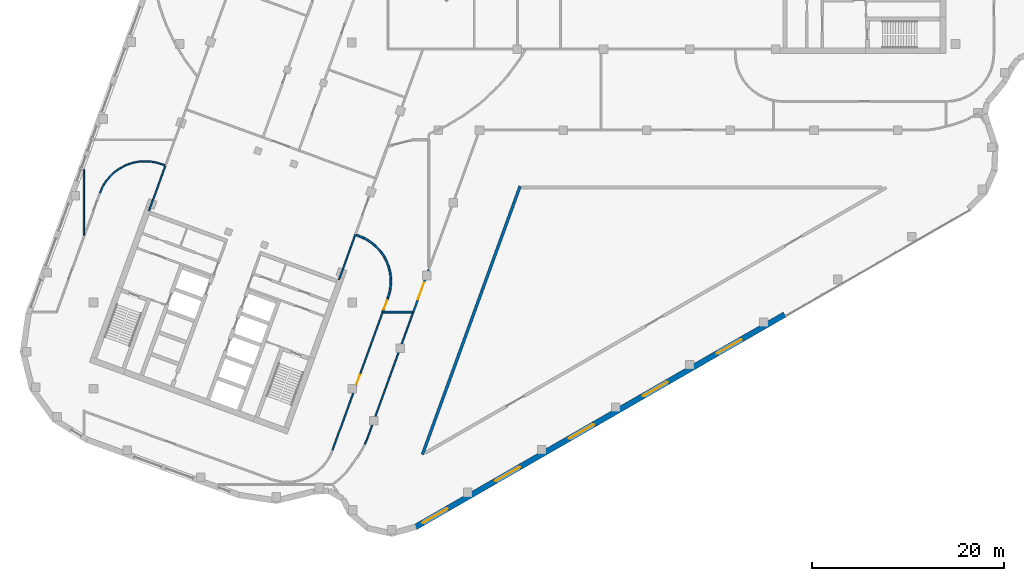
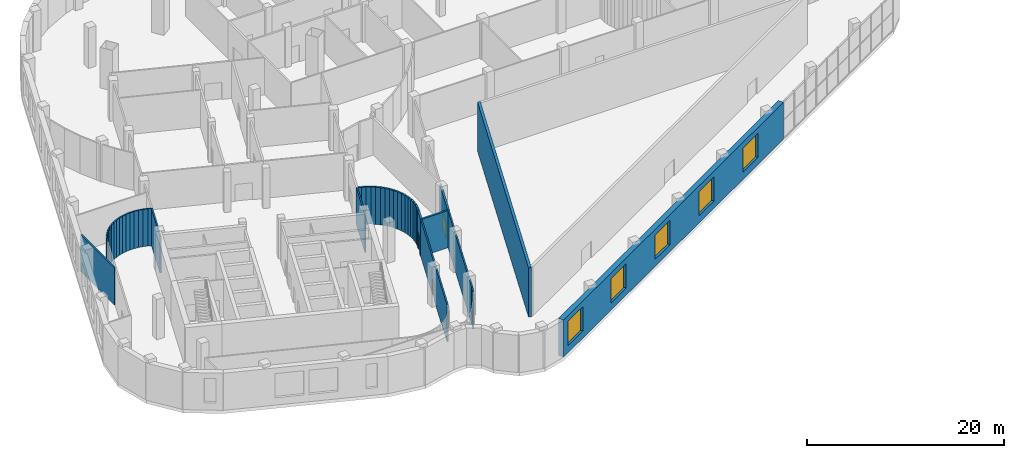
# One storey, part 10 of 24: 45 walls, 5 windows, 3 doors, 8 openings.
"""IFC4 building model written with IfcOpenShell, lengths in metres."""

from ifc_helpers import new_model, si_unit, direction, frame, frame_2d, origin, place, context, subcontext, project, spatial, rectangle, extrude, material, layer, layer_set, type_object, element, fill, save


model = new_model("IFC4")

# Units and contexts
model_context = context("Model", 3, precision=1e-05, world=origin(), true_north=direction((0.0, 1.0)))
body_context = subcontext(model_context, "Body", "Model", "MODEL_VIEW")
ifc_project = project(units=[si_unit("LENGTHUNIT", "METRE"), si_unit("AREAUNIT", "SQUARE_METRE"), si_unit("VOLUMEUNIT", "CUBIC_METRE"), si_unit("PLANEANGLEUNIT", "RADIAN"), si_unit("MASSUNIT", "GRAM", prefix="KILO")], contexts=[model_context])

# Site, building, storey
site_placement = place(None, origin())
site = spatial("IfcSite", under=ifc_project, at=site_placement, CompositionType="ELEMENT")
building_placement = place(site_placement, origin())
building = spatial("IfcBuilding", under=site, at=building_placement, Name="Skarvind Civic Tower", CompositionType="ELEMENT")
storey_placement = place(building_placement, frame((0.0, 0.0, 12.5)))
storey = spatial("IfcBuildingStorey", under=building, at=storey_placement, Name="L02", CompositionType="ELEMENT", Elevation=12.5)

# Walls
ifc_material_1 = material(Name="Fire-rated blockwork wall, plastered", Category="masonry")
ifc_layer_1 = layer(ifc_material_1, 0.199951171875)
ifc_layer_set_1 = layer_set([ifc_layer_1], Name="FIRE WALL 200 EI 60")
wall_type_1 = type_object("IfcWallType", Name="FIRE WALL 200 EI 60", PredefinedType="PARTITIONING", material=ifc_layer_set_1)
wall_1_placement = place(storey_placement, frame((46.430908203125, 98.0458984375, 0.0), z_axis=(0.0, 0.0, 1.0), x_axis=(0.939367946247, -0.342910865334, 0.0)))
element("IfcWall", 1, at=wall_1_placement, inside=storey, type_object=wall_type_1, Name="Podium partition L02 072", PredefinedType="PARTITIONING", context=body_context, shape_type="SweptSolid", body=[
    extrude(rectangle(XDim=0.3525390625, YDim=0.199951171875, at=frame_2d((0.17626953125, 0.0))), origin(), (0.0, 0.0, 1.0), 4.60009765625),
])
wall_2_placement = place(storey_placement, frame((46.758056640625, 97.927001953125, 0.0), z_axis=(0.0, 0.0, 1.0), x_axis=(0.921736861553, -0.387815881643, 0.0)))
element("IfcWall", 2, at=wall_2_placement, inside=storey, type_object=wall_type_1, Name="Podium partition L02 076", PredefinedType="PARTITIONING", context=body_context, shape_type="SweptSolid", body=[
    extrude(rectangle(XDim=0.498046875, YDim=0.199951171875, at=frame_2d((0.2490234375, 0.0))), origin(), (0.0, 0.0, 1.0), 4.60009765625),
])
wall_3_placement = place(storey_placement, frame((47.2080078125, 97.738037109375, 0.0), z_axis=(0.0, 0.0, 1.0), x_axis=(0.879513307417, -0.475874292304, 0.0)))
element("IfcWall", 3, at=wall_3_placement, inside=storey, type_object=wall_type_1, Name="Podium partition L02 078", PredefinedType="PARTITIONING", context=body_context, shape_type="SweptSolid", body=[
    extrude(rectangle(XDim=0.500244140625, YDim=0.199951171875, at=frame_2d((0.25, 0.0))), origin(), (0.0, 0.0, 1.0), 4.60009765625),
])
wall_4_placement = place(storey_placement, frame((47.639892578125, 97.5048828125, 0.0), z_axis=(0.0, 0.0, 1.0), x_axis=(0.828576718052, -0.559875541797, 0.0)))
element("IfcWall", 4, at=wall_4_placement, inside=storey, type_object=wall_type_1, Name="Podium partition L02 081", PredefinedType="PARTITIONING", context=body_context, shape_type="SweptSolid", body=[
    extrude(rectangle(XDim=0.499755859375, YDim=0.199951171875, at=frame_2d((0.25, 0.0))), origin(), (0.0, 0.0, 1.0), 4.60009765625),
])
wall_5_placement = place(storey_placement, frame((48.0458984375, 97.23095703125, 0.0), z_axis=(0.0, 0.0, 1.0), x_axis=(0.769775465544, -0.638314759853, 0.0)))
element("IfcWall", 5, at=wall_5_placement, inside=storey, type_object=wall_type_1, Name="Podium partition L02 082", PredefinedType="PARTITIONING", context=body_context, shape_type="SweptSolid", body=[
    extrude(rectangle(XDim=0.50146484375, YDim=0.199951171875, at=frame_2d((0.250732421875, 0.0))), origin(), (0.0, 0.0, 1.0), 4.60009765625),
])
wall_6_placement = place(storey_placement, frame((48.425048828125, 96.9169921875, 0.0), z_axis=(0.0, 0.0, 1.0), x_axis=(0.702936615275, -0.711252497293, 0.0)))
element("IfcWall", 6, at=wall_6_placement, inside=storey, type_object=wall_type_1, Name="Podium partition L02 083", PredefinedType="PARTITIONING", context=body_context, shape_type="SweptSolid", body=[
    extrude(rectangle(XDim=0.4990234375, YDim=0.199951171875, at=frame_2d((0.24951171875, 0.0))), origin(), (0.0, 0.0, 1.0), 4.60009765625),
])
wall_7_placement = place(storey_placement, frame((48.77001953125, 96.569091796875, 0.0), z_axis=(0.0, 0.0, 1.0), x_axis=(0.629085992687, -0.777335714994, 0.0)))
element("IfcWall", 7, at=wall_7_placement, inside=storey, type_object=wall_type_1, Name="Podium partition L02 085", PredefinedType="PARTITIONING", context=body_context, shape_type="SweptSolid", body=[
    extrude(rectangle(XDim=0.500732421875, YDim=0.199951171875, at=frame_2d((0.25048828125, 0.0))), origin(), (0.0, 0.0, 1.0), 4.60009765625),
])
wall_8_placement = place(storey_placement, frame((49.0791015625, 96.18798828125, 0.0), z_axis=(0.0, 0.0, 1.0), x_axis=(0.553123351367, -0.833099368726, 0.0)))
element("IfcWall", 8, at=wall_8_placement, inside=storey, type_object=wall_type_1, Name="Podium partition L02 086", PredefinedType="PARTITIONING", context=body_context, shape_type="SweptSolid", body=[
    extrude(rectangle(XDim=0.50048828125, YDim=0.199951171875, at=frame_2d((0.250244140625, 0.0))), origin(), (0.0, 0.0, 1.0), 4.60009765625),
])

# Wall, opening, door
wall_9_placement = place(storey_placement, frame((49.196044921875, 90.0, 0.0), z_axis=(0.0, 0.0, 1.0), x_axis=(0.341876370555, 0.93974493734, 0.0)))
wall_9 = element("IfcWall", 9, at=wall_9_placement, inside=storey, type_object=wall_type_1, Name="Podium partition L02 087", PredefinedType="PARTITIONING", context=body_context, shape_type="SweptSolid", body=[
    extrude(rectangle(XDim=1.617431640625, YDim=0.199951171875, at=frame_2d((0.80859375, 0.0))), origin(), (0.0, 0.0, 1.0), 4.60009765625),
])
opening_1_placement = place(wall_9_placement, frame((0.305908203125, 0.0, 0.0)))
opening_1 = element("IfcOpeningElement", 10, at=opening_1_placement, cuts=wall_9, Name="Opening L02-D212", PredefinedType="OPENING", context=body_context, shape_type="SweptSolid", body=[
    extrude(rectangle(XDim=1.0, YDim=2.10009765625, at=frame_2d((0.5, 1.050048828125))), frame((0.0, 0.10986328125, 0.0), z_axis=(0.0, -1.0, 0.0), x_axis=(1.0, 0.0, 0.0)), (0.0, 0.0, 1.0), 0.219970703125),
])
ifc_material_2 = material(Name="Painted steel fire door leaf", Category="steel")
door_type_1 = type_object("IfcDoorType", Name="FIRE DOOR 1000X2100 STEEL", OperationType="NOTDEFINED", PredefinedType="DOOR", material=ifc_material_2)
door_1_placement = place(opening_1_placement, origin())
door_1 = element("IfcDoor", 11, at=door_1_placement, inside=storey, type_object=door_type_1, Name="FIRE DOOR", OperationType="SINGLE_SWING_LEFT", OverallHeight=2.10009765625, OverallWidth=1.0, PredefinedType="DOOR", context=body_context, shape_type="SweptSolid", body=[
    extrude(rectangle(XDim=1.0, YDim=2.10009765625, at=frame_2d((0.5, 1.050048828125))), frame((0.0, 0.02490234375, 0.0), z_axis=(0.0, -1.0, 0.0), x_axis=(1.0, 0.0, 0.0)), (0.0, 0.0, 1.0), 0.050048828125),
])
fill(opening_1, door_1)

# Walls
wall_10_placement = place(storey_placement, frame((49.302001953125, 90.0, 0.0), z_axis=(0.0, 0.0, 1.0), x_axis=(1.0, 0.0, 0.0)))
element("IfcWall", 12, at=wall_10_placement, inside=storey, type_object=wall_type_1, Name="Podium partition L02 088", PredefinedType="PARTITIONING", context=body_context, shape_type="SweptSolid", body=[
    extrude(rectangle(XDim=2.97998046875, YDim=0.199951171875, at=frame_2d((1.489990234375, 0.0))), origin(), (0.0, 0.0, 1.0), 4.60009765625),
])
wall_11_placement = place(storey_placement, frame((49.35107421875, 95.779052734375, 0.0), z_axis=(0.0, 0.0, 1.0), x_axis=(0.464536791609, -0.885553820635, 0.0)))
element("IfcWall", 13, at=wall_11_placement, inside=storey, type_object=wall_type_1, Name="Podium partition L02 089", PredefinedType="PARTITIONING", context=body_context, shape_type="SweptSolid", body=[
    extrude(rectangle(XDim=0.499267578125, YDim=0.199951171875, at=frame_2d((0.24951171875, 0.0))), origin(), (0.0, 0.0, 1.0), 4.60009765625),
])
wall_12_placement = place(storey_placement, frame((49.5791015625, 95.344970703125, 0.0), z_axis=(0.0, 0.0, 1.0), x_axis=(0.379620609111, -0.925142255622, 0.0)))
element("IfcWall", 14, at=wall_12_placement, inside=storey, type_object=wall_type_1, Name="Podium partition L02 090", PredefinedType="PARTITIONING", context=body_context, shape_type="SweptSolid", body=[
    extrude(rectangle(XDim=0.500244140625, YDim=0.199951171875, at=frame_2d((0.25, 0.0))), origin(), (0.0, 0.0, 1.0), 4.60009765625),
])
wall_13_placement = place(storey_placement, frame((49.7470703125, 91.51611328125, 0.0), z_axis=(0.0, 0.0, 1.0), x_axis=(0.29511913713, 0.955460462238, 0.0)))
element("IfcWall", 15, at=wall_13_placement, inside=storey, type_object=wall_type_1, Name="Podium partition L02 093", PredefinedType="PARTITIONING", context=body_context, shape_type="SweptSolid", body=[
    extrude(rectangle(XDim=0.498046875, YDim=0.199951171875, at=frame_2d((0.2490234375, 0.0))), origin(), (0.0, 0.0, 1.0), 4.60009765625),
])
wall_14_placement = place(storey_placement, frame((49.76611328125, 94.89208984375, 0.0), z_axis=(0.0, 0.0, 1.0), x_axis=(0.282745917583, -0.95919484261, 0.0)))
element("IfcWall", 16, at=wall_14_placement, inside=storey, type_object=wall_type_1, Name="Podium partition L02 101", PredefinedType="PARTITIONING", context=body_context, shape_type="SweptSolid", body=[
    extrude(rectangle(XDim=0.501708984375, YDim=0.199951171875, at=frame_2d((0.2509765625, 0.0))), origin(), (0.0, 0.0, 1.0), 4.60009765625),
])
wall_15_placement = place(storey_placement, frame((49.89208984375, 91.98193359375, 0.0), z_axis=(0.0, 0.0, 1.0), x_axis=(0.20155652864, 0.979476883731, 0.0)))
element("IfcWall", 17, at=wall_15_placement, inside=storey, type_object=wall_type_1, Name="Podium partition L02 102", PredefinedType="PARTITIONING", context=body_context, shape_type="SweptSolid", body=[
    extrude(rectangle(XDim=0.500244140625, YDim=0.199951171875, at=frame_2d((0.25, 0.0))), origin(), (0.0, 0.0, 1.0), 4.60009765625),
])
wall_16_placement = place(storey_placement, frame((49.906005859375, 94.4208984375, 0.0), z_axis=(0.0, 0.0, 1.0), x_axis=(0.189915644008, -0.981800411571, 0.0)))
element("IfcWall", 18, at=wall_16_placement, inside=storey, type_object=wall_type_1, Name="Podium partition L02 103", PredefinedType="PARTITIONING", context=body_context, shape_type="SweptSolid", body=[
    extrude(rectangle(XDim=0.5, YDim=0.199951171875, at=frame_2d((0.25, 0.0))), origin(), (0.0, 0.0, 1.0), 4.60009765625),
])
for number, where, z_axis, x_axis, name in (
    (19, (49.990966796875, 92.4619140625, 0.0), (0.0, 0.0, 1.0), (0.105775799455, 0.994390004098, 0.0), "Podium partition L02 104"),
    (20, (50.0, 93.93994140625, 0.0), (0.0, 0.0, 1.0), (0.089657033533, -0.995972698591, 0.0), "Podium partition L02 105"),
    (21, (50.04296875, 92.949951171875, 0.0), (0.0, 0.0, 1.0), (0.00389860585, 0.999992400407, 0.0), "Podium partition L02 106"),
):
    element("IfcWall", number, at=place(storey_placement, frame(where, z_axis=z_axis, x_axis=x_axis)), inside=storey, type_object=wall_type_1, Name=name, PredefinedType="PARTITIONING", context=body_context, shape_type="SweptSolid", body=[
        extrude(rectangle(XDim=0.5009765625, YDim=0.199951171875, at=frame_2d((0.25048828125, 0.0))), origin(), (0.0, 0.0, 1.0), 4.60009765625),
    ])

# Wall, opening, door
wall_17_placement = place(storey_placement, frame((52.387939453125, 90.0, 0.0), z_axis=(0.0, 0.0, 1.0), x_axis=(0.342096627731, 0.939664779214, 0.0)))
wall_17 = element("IfcWall", 22, at=wall_17_placement, inside=storey, type_object=wall_type_1, Name="Podium partition L02 111", PredefinedType="PARTITIONING", context=body_context, shape_type="SweptSolid", body=[
    extrude(rectangle(XDim=4.71240234375, YDim=0.199951171875, at=frame_2d((2.356201171875, 0.0))), origin(), (0.0, 0.0, 1.0), 4.60009765625),
])
opening_2_placement = place(wall_17_placement, frame((1.4560546875, 0.0, 0.0)))
opening_2 = element("IfcOpeningElement", 23, at=opening_2_placement, cuts=wall_17, Name="Opening L02-D216", PredefinedType="OPENING", context=body_context, shape_type="SweptSolid", body=[
    extrude(rectangle(XDim=1.800048828125, YDim=2.10009765625, at=frame_2d((0.89990234375, 1.050048828125))), frame((0.0, 0.10986328125, 0.0), z_axis=(0.0, -1.0, 0.0), x_axis=(1.0, 0.0, 0.0)), (0.0, 0.0, 1.0), 0.219970703125),
])
door_type_2 = type_object("IfcDoorType", Name="FIRE DOOR 1800X2100 DOUBLE STEEL", OperationType="NOTDEFINED", PredefinedType="DOOR", material=ifc_material_2)
door_2_placement = place(opening_2_placement, origin())
door_2 = element("IfcDoor", 24, at=door_2_placement, inside=storey, type_object=door_type_2, Name="FIRE DOOR", OperationType="DOUBLE_DOOR_SINGLE_SWING", OverallHeight=2.10009765625, OverallWidth=1.800048828125, PredefinedType="DOOR", context=body_context, shape_type="SweptSolid", body=[
    extrude(rectangle(XDim=1.800048828125, YDim=2.10009765625, at=frame_2d((0.89990234375, 1.050048828125))), frame((0.0, 0.02490234375, 0.0), z_axis=(0.0, -1.0, 0.0), x_axis=(1.0, 0.0, 0.0)), (0.0, 0.0, 1.0), 0.050048828125),
])
fill(opening_2, door_2)

# Walls
ifc_material_3 = material(Name="Dense blockwork wall, plastered", Category="masonry")
ifc_layer_2 = layer(ifc_material_3, 0.300048828125)
ifc_layer_set_2 = layer_set([ifc_layer_2], Name="MASONRY WALL 300")
wall_type_2 = type_object("IfcWallType", Name="MASONRY WALL 300", PredefinedType="PARTITIONING", material=ifc_layer_set_2)
wall_18_placement = place(storey_placement, frame((53.347900390625, 75.152099609375, 0.0), z_axis=(0.0, 0.0, 1.0), x_axis=(0.342006895874, 0.939697442358, 0.0)))
element("IfcWall", 25, at=wall_18_placement, inside=storey, type_object=wall_type_2, Name="Podium partition L02 112", PredefinedType="PARTITIONING", context=body_context, shape_type="SweptSolid", body=[
    extrude(rectangle(XDim=29.79248046875, YDim=0.300048828125, at=frame_2d((14.896240234375, 0.0))), origin(), (0.0, 0.0, 1.0), 6.10009765625),
])
ifc_material_4 = material(Name="Plasterboard partition on steel studs", Category="steel")
ifc_layer_3 = layer(ifc_material_4, 0.14990234375)
ifc_layer_set_3 = layer_set([ifc_layer_3], Name="PARTITION 150")
wall_type_3 = type_object("IfcWallType", Name="PARTITION 150", PredefinedType="PARTITIONING", material=ifc_layer_set_3)
wall_19_placement = place(storey_placement, frame((18.0, 98.0458984375, 0.0), z_axis=(0.0, 0.0, 1.0), x_axis=(0.0, 1.0, 0.0)))
element("IfcWall", 26, at=wall_19_placement, inside=storey, type_object=wall_type_3, Name="Podium partition L02 005", PredefinedType="PARTITIONING", context=body_context, shape_type="SweptSolid", body=[
    extrude(rectangle(XDim=6.822998046875, YDim=0.14990234375, at=frame_2d((3.41162109375, 0.0))), origin(), (0.0, 0.0, 1.0), 4.60009765625),
])
wall_20_placement = place(storey_placement, frame((19.677001953125, 102.4599609375, 0.0), z_axis=(0.0, 0.0, 1.0), x_axis=(0.386429931229, 0.922318767157, 0.0)))
element("IfcWall", 27, at=wall_20_placement, inside=storey, type_object=wall_type_3, Name="Podium partition L02 007", PredefinedType="PARTITIONING", context=body_context, shape_type="SweptSolid", body=[
    extrude(rectangle(XDim=0.49658203125, YDim=0.14990234375, at=frame_2d((0.248291015625, 0.0))), origin(), (0.0, 0.0, 1.0), 4.60009765625),
])
wall_21_placement = place(storey_placement, frame((19.865966796875, 102.912109375, 0.0), z_axis=(0.0, 0.0, 1.0), x_axis=(0.478336447807, 0.878176658025, 0.0)))
element("IfcWall", 28, at=wall_21_placement, inside=storey, type_object=wall_type_3, Name="Podium partition L02 008", PredefinedType="PARTITIONING", context=body_context, shape_type="SweptSolid", body=[
    extrude(rectangle(XDim=0.49755859375, YDim=0.14990234375, at=frame_2d((0.248779296875, 0.0))), origin(), (0.0, 0.0, 1.0), 4.60009765625),
])
wall_22_placement = place(storey_placement, frame((20.10009765625, 103.343017578125, 0.0), z_axis=(0.0, 0.0, 1.0), x_axis=(0.559439200494, 0.828871389874, 0.0)))
element("IfcWall", 29, at=wall_22_placement, inside=storey, type_object=wall_type_3, Name="Podium partition L02 009", PredefinedType="PARTITIONING", context=body_context, shape_type="SweptSolid", body=[
    extrude(rectangle(XDim=0.498291015625, YDim=0.14990234375, at=frame_2d((0.2490234375, 0.0))), origin(), (0.0, 0.0, 1.0), 4.60009765625),
])
wall_23_placement = place(storey_placement, frame((20.375, 103.75, 0.0), z_axis=(0.0, 0.0, 1.0), x_axis=(0.637426997618, 0.77051075444, 0.0)))
element("IfcWall", 30, at=wall_23_placement, inside=storey, type_object=wall_type_3, Name="Podium partition L02 010", PredefinedType="PARTITIONING", context=body_context, shape_type="SweptSolid", body=[
    extrude(rectangle(XDim=0.4970703125, YDim=0.14990234375, at=frame_2d((0.24853515625, 0.0))), origin(), (0.0, 0.0, 1.0), 4.60009765625),
])
wall_24_placement = place(storey_placement, frame((20.68701171875, 104.126953125, 0.0), z_axis=(0.0, 0.0, 1.0), x_axis=(0.711007970504, 0.703183948821, 0.0)))
element("IfcWall", 31, at=wall_24_placement, inside=storey, type_object=wall_type_3, Name="Podium partition L02 011", PredefinedType="PARTITIONING", context=body_context, shape_type="SweptSolid", body=[
    extrude(rectangle(XDim=0.499267578125, YDim=0.14990234375, at=frame_2d((0.24951171875, 0.0))), origin(), (0.0, 0.0, 1.0), 4.60009765625),
])
wall_25_placement = place(storey_placement, frame((21.035888671875, 104.472900390625, 0.0), z_axis=(0.0, 0.0, 1.0), x_axis=(0.77650322697, 0.630113274345, 0.0)))
element("IfcWall", 32, at=wall_25_placement, inside=storey, type_object=wall_type_3, Name="Podium partition L02 012", PredefinedType="PARTITIONING", context=body_context, shape_type="SweptSolid", body=[
    extrude(rectangle(XDim=0.49853515625, YDim=0.14990234375, at=frame_2d((0.249267578125, 0.0))), origin(), (0.0, 0.0, 1.0), 4.60009765625),
])
for number, where, z_axis, x_axis, name in (
    (33, (21.4169921875, 104.782958984375, 0.0), (0.0, 0.0, 1.0), (0.835203810699, 0.549940537326, 0.0), "Podium partition L02 013"),
    (34, (21.826904296875, 105.052978515625, 0.0), (0.0, 0.0, 1.0), (0.883895214997, 0.467684988967, 0.0), "Podium partition L02 014"),
):
    element("IfcWall", number, at=place(storey_placement, frame(where, z_axis=z_axis, x_axis=x_axis)), inside=storey, type_object=wall_type_3, Name=name, PredefinedType="PARTITIONING", context=body_context, shape_type="SweptSolid", body=[
        extrude(rectangle(XDim=0.498046875, YDim=0.14990234375, at=frame_2d((0.2490234375, 0.0))), origin(), (0.0, 0.0, 1.0), 4.60009765625),
    ])
wall_26_placement = place(storey_placement, frame((22.260986328125, 105.282958984375, 0.0), z_axis=(0.0, 0.0, 1.0), x_axis=(0.926359379867, 0.376640809436, 0.0)))
element("IfcWall", 35, at=wall_26_placement, inside=storey, type_object=wall_type_3, Name="Podium partition L02 015", PredefinedType="PARTITIONING", context=body_context, shape_type="SweptSolid", body=[
    extrude(rectangle(XDim=0.49658203125, YDim=0.14990234375, at=frame_2d((0.248291015625, 0.0))), origin(), (0.0, 0.0, 1.0), 4.60009765625),
])
wall_27_placement = place(storey_placement, frame((22.714111328125, 105.468017578125, 0.0), z_axis=(0.0, 0.0, 1.0), x_axis=(0.958511041414, 0.285055404243, 0.0)))
element("IfcWall", 36, at=wall_27_placement, inside=storey, type_object=wall_type_3, Name="Podium partition L02 016", PredefinedType="PARTITIONING", context=body_context, shape_type="SweptSolid", body=[
    extrude(rectangle(XDim=0.49853515625, YDim=0.14990234375, at=frame_2d((0.249267578125, 0.0))), origin(), (0.0, 0.0, 1.0), 4.60009765625),
])
wall_28_placement = place(storey_placement, frame((23.18408203125, 105.60791015625, 0.0), z_axis=(0.0, 0.0, 1.0), x_axis=(0.981729772821, 0.190280459207, 0.0)))
element("IfcWall", 37, at=wall_28_placement, inside=storey, type_object=wall_type_3, Name="Podium partition L02 017", PredefinedType="PARTITIONING", context=body_context, shape_type="SweptSolid", body=[
    extrude(rectangle(XDim=0.4990234375, YDim=0.14990234375, at=frame_2d((0.24951171875, 0.0))), origin(), (0.0, 0.0, 1.0), 4.60009765625),
])
wall_29_placement = place(storey_placement, frame((23.666015625, 105.701904296875, 0.0), z_axis=(0.0, 0.0, 1.0), x_axis=(0.995719029091, 0.092431678044, 0.0)))
element("IfcWall", 38, at=wall_29_placement, inside=storey, type_object=wall_type_3, Name="Podium partition L02 018", PredefinedType="PARTITIONING", context=body_context, shape_type="SweptSolid", body=[
    extrude(rectangle(XDim=0.499267578125, YDim=0.14990234375, at=frame_2d((0.24951171875, 0.0))), origin(), (0.0, 0.0, 1.0), 4.60009765625),
])
wall_30_placement = place(storey_placement, frame((24.155029296875, 105.748046875, 0.0), z_axis=(0.0, 0.0, 1.0), x_axis=(0.999982699411, -0.005882251173, 0.0)))
element("IfcWall", 39, at=wall_30_placement, inside=storey, type_object=wall_type_3, Name="Podium partition L02 019", PredefinedType="PARTITIONING", context=body_context, shape_type="SweptSolid", body=[
    extrude(rectangle(XDim=0.498046875, YDim=0.14990234375, at=frame_2d((0.2490234375, 0.0))), origin(), (0.0, 0.0, 1.0), 4.60009765625),
])
wall_31_placement = place(storey_placement, frame((24.64501953125, 105.7451171875, 0.0), z_axis=(0.0, 0.0, 1.0), x_axis=(0.994752095055, -0.102314560958, 0.0)))
element("IfcWall", 40, at=wall_31_placement, inside=storey, type_object=wall_type_3, Name="Podium partition L02 020", PredefinedType="PARTITIONING", context=body_context, shape_type="SweptSolid", body=[
    extrude(rectangle(XDim=0.498779296875, YDim=0.14990234375, at=frame_2d((0.24951171875, 0.0))), origin(), (0.0, 0.0, 1.0), 4.60009765625),
])
wall_32_placement = place(storey_placement, frame((24.800048828125, 100.597900390625, 0.0), z_axis=(0.0, 0.0, 1.0), x_axis=(0.34194689438, 0.939719277989, 0.0)))
element("IfcWall", 41, at=wall_32_placement, inside=storey, type_object=wall_type_3, Name="Podium partition L02 021", PredefinedType="PARTITIONING", context=body_context, shape_type="SweptSolid", body=[
    extrude(rectangle(XDim=5.000732421875, YDim=0.14990234375, at=frame_2d((2.50048828125, 0.0))), origin(), (0.0, 0.0, 1.0), 4.60009765625),
])
wall_33_placement = place(storey_placement, frame((25.133056640625, 105.695068359375, 0.0), z_axis=(0.0, 0.0, 1.0), x_axis=(0.979686550711, -0.200534940485, 0.0)))
element("IfcWall", 42, at=wall_33_placement, inside=storey, type_object=wall_type_3, Name="Podium partition L02 022", PredefinedType="PARTITIONING", context=body_context, shape_type="SweptSolid", body=[
    extrude(rectangle(XDim=0.499267578125, YDim=0.14990234375, at=frame_2d((0.24951171875, 0.0))), origin(), (0.0, 0.0, 1.0), 4.60009765625),
])
wall_34_placement = place(storey_placement, frame((25.614013671875, 105.596923828125, 0.0), z_axis=(0.0, 0.0, 1.0), x_axis=(0.955332101268, -0.29553439104, 0.0)))
element("IfcWall", 43, at=wall_34_placement, inside=storey, type_object=wall_type_3, Name="Podium partition L02 025", PredefinedType="PARTITIONING", context=body_context, shape_type="SweptSolid", body=[
    extrude(rectangle(XDim=0.497314453125, YDim=0.14990234375, at=frame_2d((0.24853515625, 0.0))), origin(), (0.0, 0.0, 1.0), 4.60009765625),
])
wall_35_placement = place(storey_placement, frame((26.0849609375, 105.451904296875, 0.0), z_axis=(0.0, 0.0, 1.0), x_axis=(0.939944328342, -0.341327789109, 0.0)))
element("IfcWall", 44, at=wall_35_placement, inside=storey, type_object=wall_type_3, Name="Podium partition L02 027", PredefinedType="PARTITIONING", context=body_context, shape_type="SweptSolid", body=[
    extrude(rectangle(XDim=0.377685546875, YDim=0.14990234375, at=frame_2d((0.18896484375, 0.0))), origin(), (0.0, 0.0, 1.0), 4.60009765625),
])

# Wall, opening, door
wall_36_placement = place(storey_placement, frame((49.196044921875, 90.0, 0.0), z_axis=(0.0, 0.0, 1.0), x_axis=(-0.342037332118, -0.939686364399, 0.0)))
wall_36 = element("IfcWall", 45, at=wall_36_placement, inside=storey, type_object=wall_type_3, Name="Podium partition L02 065", PredefinedType="PARTITIONING", context=body_context, shape_type="SweptSolid", body=[
    extrude(rectangle(XDim=15.386962890625, YDim=0.14990234375, at=frame_2d((7.693359375, 0.0))), origin(), (0.0, 0.0, 1.0), 4.60009765625),
])
opening_3_placement = place(wall_36_placement, frame((6.989990234375, 0.0, 0.0)))
opening_3 = element("IfcOpeningElement", 46, at=opening_3_placement, cuts=wall_36, Name="Opening L02-D210", PredefinedType="OPENING", context=body_context, shape_type="SweptSolid", body=[
    extrude(rectangle(XDim=1.0, YDim=2.10009765625, at=frame_2d((0.5, 1.050048828125))), frame((0.0, 0.0849609375, 0.0), z_axis=(0.0, -1.0, 0.0), x_axis=(1.0, 0.0, 0.0)), (0.0, 0.0, 1.0), 0.169921875),
])
ifc_material_5 = material(Name="Timber veneer door leaf", Category="wood")
door_type_3 = type_object("IfcDoorType", Name="DOOR 1000X2100 TIMBER", OperationType="NOTDEFINED", PredefinedType="DOOR", material=ifc_material_5)
door_3_placement = place(opening_3_placement, origin())
door_3 = element("IfcDoor", 47, at=door_3_placement, inside=storey, type_object=door_type_3, Name="DOOR DOOR", OperationType="SINGLE_SWING_LEFT", OverallHeight=2.10009765625, OverallWidth=1.0, PredefinedType="DOOR", context=body_context, shape_type="SweptSolid", body=[
    extrude(rectangle(XDim=1.0, YDim=2.10009765625, at=frame_2d((0.5, 1.050048828125))), frame((0.0, 0.02490234375, 0.0), z_axis=(0.0, -1.0, 0.0), x_axis=(1.0, 0.0, 0.0)), (0.0, 0.0, 1.0), 0.050048828125),
])
fill(opening_3, door_3)

# Walls
wall_37_placement = place(storey_placement, frame((44.626953125, 93.382080078125, 0.0), z_axis=(0.0, 0.0, 1.0), x_axis=(0.342025351501, 0.939690725149, 0.0)))
element("IfcWall", 48, at=wall_37_placement, inside=storey, type_object=wall_type_3, Name="Podium partition L02 068", PredefinedType="PARTITIONING", context=body_context, shape_type="SweptSolid", body=[
    extrude(rectangle(XDim=4.99951171875, YDim=0.14990234375, at=frame_2d((2.499755859375, 0.0))), origin(), (0.0, 0.0, 1.0), 4.60009765625),
])
wall_38_placement = place(storey_placement, frame((47.340087890625, 76.218017578125, 0.0), z_axis=(0.0, 0.0, 1.0), x_axis=(0.381992942343, 0.924165240636, 0.0)))
element("IfcWall", 49, at=wall_38_placement, inside=storey, type_object=wall_type_3, Name="Podium partition L02 079", PredefinedType="PARTITIONING", context=body_context, shape_type="SweptSolid", body=[
    extrude(rectangle(XDim=0.701171875, YDim=0.14990234375, at=frame_2d((0.3505859375, 0.0))), origin(), (0.0, 0.0, 1.0), 4.60009765625),
])
wall_39_placement = place(storey_placement, frame((47.60791015625, 76.865966796875, 0.0), z_axis=(0.0, 0.0, 1.0), x_axis=(0.341996903655, 0.939701079009, 0.0)))
element("IfcWall", 50, at=wall_39_placement, inside=storey, type_object=wall_type_3, Name="Podium partition L02 080", PredefinedType="PARTITIONING", context=body_context, shape_type="SweptSolid", body=[
    extrude(rectangle(XDim=13.976806640625, YDim=0.14990234375, at=frame_2d((6.98828125, 0.0))), origin(), (0.0, 0.0, 1.0), 4.60009765625),
])

# Wall, openings, windows
ifc_material_6 = material(Name="Limestone masonry cladding on insulated backing", Category="masonry")
ifc_layer_4 = layer(ifc_material_6, 0.60009765625)
ifc_layer_set_4 = layer_set([ifc_layer_4], Name="WX1 STONE FACADE WALL 600")
wall_type_4 = type_object("IfcWallType", Name="WX1 STONE FACADE WALL 600", PredefinedType="SOLIDWALL", material=ifc_layer_set_4)
wall_40_placement = place(storey_placement, frame((91.15869140625, 89.7421875, 0.0), z_axis=(0.0, 0.0, 1.0), x_axis=(-0.866704063601, -0.498822680055, 0.0)))
wall_40 = element("IfcWall", 51, at=wall_40_placement, inside=storey, type_object=wall_type_4, Name="STONE FACADE WALL", PredefinedType="SOLIDWALL", context=body_context, shape_type="SweptSolid", body=[
    extrude(rectangle(XDim=44.487060546875, YDim=0.60009765625, at=frame_2d((22.24365234375, 0.0))), origin(), (0.0, 0.0, 1.0), 4.60009765625),
])
opening_4_placement = place(wall_40_placement, frame((5.173095703125, 0.0, 0.89990234375)))
opening_4 = element("IfcOpeningElement", 52, at=opening_4_placement, cuts=wall_40, Name="Opening WN2", PredefinedType="OPENING", context=body_context, shape_type="SweptSolid", body=[
    extrude(rectangle(XDim=3.0, YDim=3.0, at=frame_2d((1.5, 1.5))), frame((0.0, 0.31005859375, 0.0), z_axis=(0.0, -1.0, 0.0), x_axis=(1.0, 0.0, 0.0)), (0.0, 0.0, 1.0), 0.6201171875),
])
opening_5_placement = place(wall_40_placement, frame((14.070556640625, 0.0, 0.89990234375)))
opening_5 = element("IfcOpeningElement", 53, at=opening_5_placement, cuts=wall_40, Name="Opening WN2", PredefinedType="OPENING", context=body_context, shape_type="SweptSolid", body=[
    extrude(rectangle(XDim=3.0, YDim=3.0, at=frame_2d((1.5, 1.5))), frame((0.0, 0.31005859375, 0.0), z_axis=(0.0, -1.0, 0.0), x_axis=(1.0, 0.0, 0.0)), (0.0, 0.0, 1.0), 0.6201171875),
])
opening_6_placement = place(wall_40_placement, frame((22.968017578125, 0.0, 0.89990234375)))
opening_6 = element("IfcOpeningElement", 54, at=opening_6_placement, cuts=wall_40, Name="Opening WN2", PredefinedType="OPENING", context=body_context, shape_type="SweptSolid", body=[
    extrude(rectangle(XDim=3.0, YDim=3.0, at=frame_2d((1.5, 1.5))), frame((0.0, 0.31005859375, 0.0), z_axis=(0.0, -1.0, 0.0), x_axis=(1.0, 0.0, 0.0)), (0.0, 0.0, 1.0), 0.6201171875),
])
opening_7_placement = place(wall_40_placement, frame((31.865234375, 0.0, 0.89990234375)))
opening_7 = element("IfcOpeningElement", 55, at=opening_7_placement, cuts=wall_40, Name="Opening WN2", PredefinedType="OPENING", context=body_context, shape_type="SweptSolid", body=[
    extrude(rectangle(XDim=3.0, YDim=3.0, at=frame_2d((1.5, 1.5))), frame((0.0, 0.31005859375, 0.0), z_axis=(0.0, -1.0, 0.0), x_axis=(1.0, 0.0, 0.0)), (0.0, 0.0, 1.0), 0.6201171875),
])
opening_8_placement = place(wall_40_placement, frame((40.61279296875, 0.0, 0.89990234375)))
opening_8 = element("IfcOpeningElement", 56, at=opening_8_placement, cuts=wall_40, Name="Opening WN2", PredefinedType="OPENING", context=body_context, shape_type="SweptSolid", body=[
    extrude(rectangle(XDim=3.0, YDim=3.0, at=frame_2d((1.5, 1.5))), frame((0.0, 0.31005859375, 0.0), z_axis=(0.0, -1.0, 0.0), x_axis=(1.0, 0.0, 0.0)), (0.0, 0.0, 1.0), 0.6201171875),
])
ifc_material_7 = material(Name="Timber frame, double glazing, timber-lined reveal", Category="wood")
window_type = type_object("IfcWindowType", Name="WN2 PODIUM STONE WINDOW 3000 x 3000", PartitioningType="SINGLE_PANEL", PredefinedType="WINDOW", material=ifc_material_7)
window_1_placement = place(opening_4_placement, origin())
window_1 = element("IfcWindow", 57, at=window_1_placement, inside=storey, type_object=window_type, Name="WN2 WINDOW", OverallHeight=3.0, OverallWidth=3.0, PartitioningType="SINGLE_PANEL", PredefinedType="WINDOW", context=body_context, shape_type="SweptSolid", body=[
    extrude(rectangle(XDim=3.0, YDim=3.0, at=frame_2d((1.5, 1.5))), frame((0.0, 0.030029296875, 0.0), z_axis=(0.0, -1.0, 0.0), x_axis=(1.0, 0.0, 0.0)), (0.0, 0.0, 1.0), 0.06005859375),
])
fill(opening_4, window_1)
window_2_placement = place(opening_5_placement, origin())
window_2 = element("IfcWindow", 58, at=window_2_placement, inside=storey, type_object=window_type, Name="WN2 WINDOW", OverallHeight=3.0, OverallWidth=3.0, PartitioningType="SINGLE_PANEL", PredefinedType="WINDOW", context=body_context, shape_type="SweptSolid", body=[
    extrude(rectangle(XDim=3.0, YDim=3.0, at=frame_2d((1.5, 1.5))), frame((0.0, 0.030029296875, 0.0), z_axis=(0.0, -1.0, 0.0), x_axis=(1.0, 0.0, 0.0)), (0.0, 0.0, 1.0), 0.06005859375),
])
fill(opening_5, window_2)
window_3_placement = place(opening_6_placement, origin())
window_3 = element("IfcWindow", 59, at=window_3_placement, inside=storey, type_object=window_type, Name="WN2 WINDOW", OverallHeight=3.0, OverallWidth=3.0, PartitioningType="SINGLE_PANEL", PredefinedType="WINDOW", context=body_context, shape_type="SweptSolid", body=[
    extrude(rectangle(XDim=3.0, YDim=3.0, at=frame_2d((1.5, 1.5))), frame((0.0, 0.030029296875, 0.0), z_axis=(0.0, -1.0, 0.0), x_axis=(1.0, 0.0, 0.0)), (0.0, 0.0, 1.0), 0.06005859375),
])
fill(opening_6, window_3)
window_4_placement = place(opening_7_placement, origin())
window_4 = element("IfcWindow", 60, at=window_4_placement, inside=storey, type_object=window_type, Name="WN2 WINDOW", OverallHeight=3.0, OverallWidth=3.0, PartitioningType="SINGLE_PANEL", PredefinedType="WINDOW", context=body_context, shape_type="SweptSolid", body=[
    extrude(rectangle(XDim=3.0, YDim=3.0, at=frame_2d((1.5, 1.5))), frame((0.0, 0.030029296875, 0.0), z_axis=(0.0, -1.0, 0.0), x_axis=(1.0, 0.0, 0.0)), (0.0, 0.0, 1.0), 0.06005859375),
])
fill(opening_7, window_4)
window_5_placement = place(opening_8_placement, origin())
window_5 = element("IfcWindow", 61, at=window_5_placement, inside=storey, type_object=window_type, Name="WN2 WINDOW", OverallHeight=3.0, OverallWidth=3.0, PartitioningType="SINGLE_PANEL", PredefinedType="WINDOW", context=body_context, shape_type="SweptSolid", body=[
    extrude(rectangle(XDim=3.0, YDim=3.0, at=frame_2d((1.5, 1.5))), frame((0.0, 0.030029296875, 0.0), z_axis=(0.0, -1.0, 0.0), x_axis=(1.0, 0.0, 0.0)), (0.0, 0.0, 1.0), 0.06005859375),
])
fill(opening_8, window_5)

save(model, "model.ifc")
